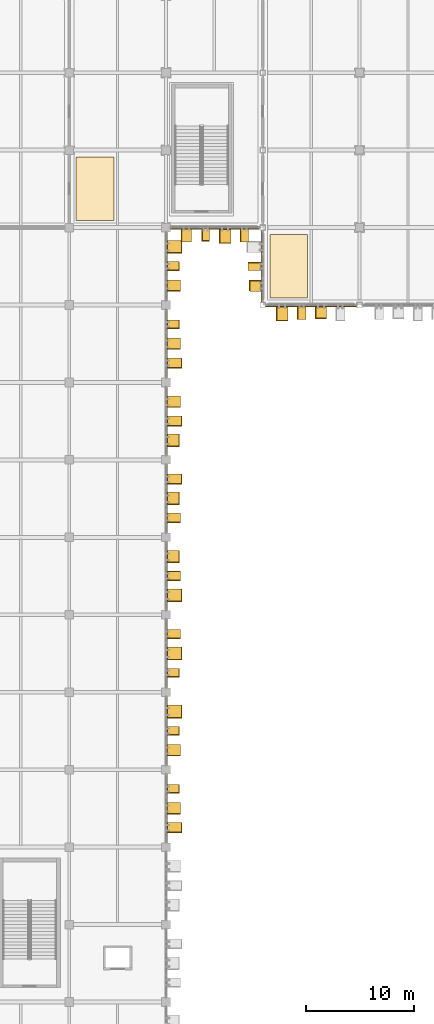
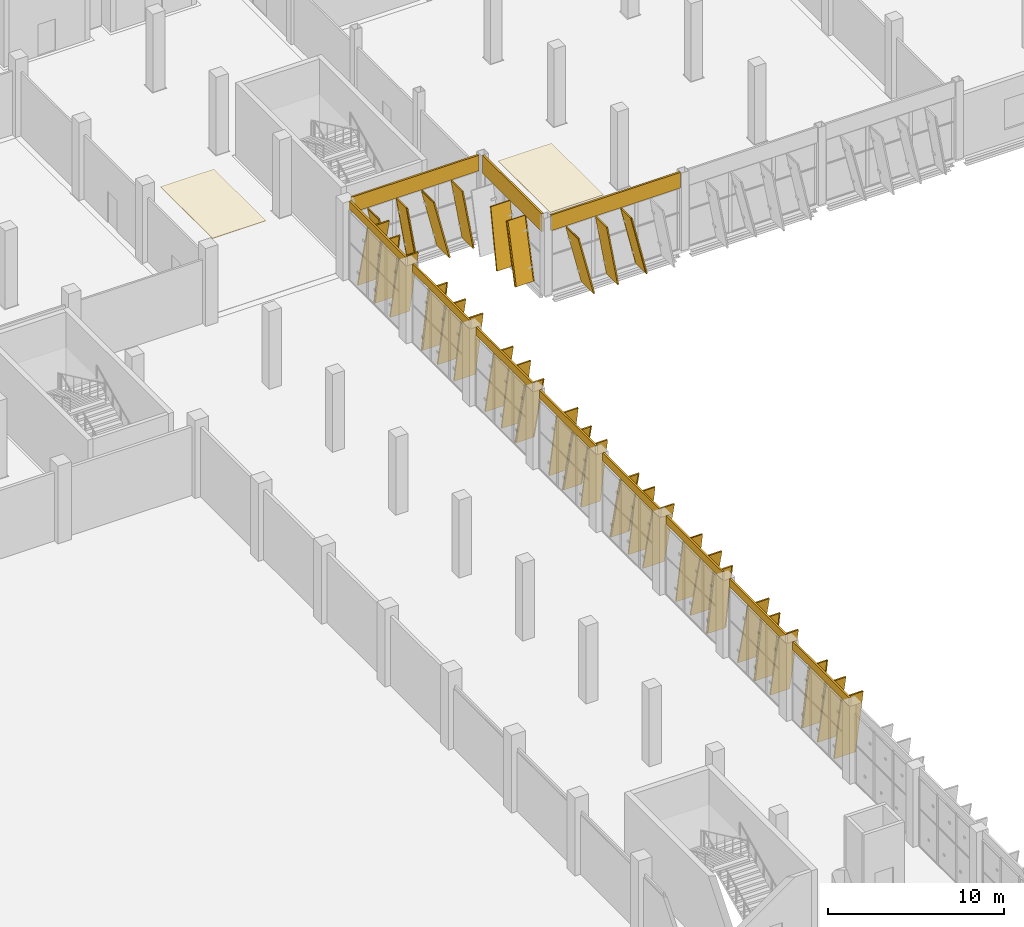
# One storey, part 124 of 137: 46 coverings, 33 shading devices.
"""IFC4 building model written with IfcOpenShell, lengths in metres."""

from ifc_helpers import new_model, si_unit, direction, frame, origin, origin_2d, place, context, subcontext, project, spatial, polyline, rectangle, outline, extrude, material, layer, layer_set, material_profile, profile_set, type_object, element, save


model = new_model("IFC4")

# Units and contexts
model_context = context("Model", 3, precision=1e-05, world=origin(), true_north=direction((0.0, 1.0)))
body_context = subcontext(model_context, "Body", "Model", "MODEL_VIEW")
ifc_project = project(units=[si_unit("LENGTHUNIT", "METRE"), si_unit("AREAUNIT", "SQUARE_METRE"), si_unit("VOLUMEUNIT", "CUBIC_METRE"), si_unit("PLANEANGLEUNIT", "RADIAN"), si_unit("MASSUNIT", "GRAM", prefix="KILO")], contexts=[model_context])

# Site, building, storey
site_placement = place(None, origin())
site = spatial("IfcSite", under=ifc_project, at=site_placement, CompositionType="ELEMENT")
building_placement = place(site_placement, origin())
building = spatial("IfcBuilding", under=site, at=building_placement, Name="Celestram Park Convention Centre", CompositionType="ELEMENT")
storey_placement = place(building_placement, origin())
storey = spatial("IfcBuildingStorey", under=building, at=storey_placement, Name="L00", CompositionType="ELEMENT", Elevation=0.0)

# Coverings
ifc_material_1 = material(Name="Anodised Bronze Aluminium Spandrel Cladding", Category="aluminium")
ifc_layer_1 = layer(ifc_material_1, 0.050048828125)
ifc_layer_set_1 = layer_set([ifc_layer_1], Name="Anodised Bronze Aluminium Spandrel Cladding")
covering_type_1 = type_object("IfcCoveringType", Name="ARC-COV-CLD060", PredefinedType="CLADDING", material=ifc_layer_set_1)
covering_1_placement = place(storey_placement, frame((157.5, 115.1201171875, 4.31689453125), z_axis=(0.0, 0.0, 1.0), x_axis=(-1.0, 0.0, 0.0)))
element("IfcCovering", 1, at=covering_1_placement, inside=storey, type_object=covering_type_1, Name="Bronze spandrel cladding CL-L00-003", PredefinedType="CLADDING", context=body_context, shape_type="SweptSolid", body=[
    extrude(rectangle(XDim=8.50390625, YDim=0.1201171875, at=origin_2d()), origin(), (0.0, 0.0, 1.0), 1.0830078125),
])
covering_2_placement = place(storey_placement, frame((152.919921875, 118.800048828125, 4.14404296875), z_axis=(0.0, 0.0, 1.0), x_axis=(0.0, 1.0, 0.0)))
element("IfcCovering", 2, at=covering_2_placement, inside=storey, type_object=covering_type_1, Name="Bronze spandrel cladding CL-L00-004", PredefinedType="CLADDING", context=body_context, shape_type="SweptSolid", body=[
    extrude(rectangle(XDim=6.7041015625, YDim=0.1201171875, at=origin_2d()), origin(), (0.0, 0.0, 1.0), 1.256103515625),
])
covering_3_placement = place(storey_placement, frame((148.5, 122.320068359375, 4.31689453125), z_axis=(0.0, 0.0, 1.0), x_axis=(-1.0, 0.0, 0.0)))
element("IfcCovering", 3, at=covering_3_placement, inside=storey, type_object=covering_type_1, Name="Bronze spandrel cladding CL-L00-005", PredefinedType="CLADDING", context=body_context, shape_type="SweptSolid", body=[
    extrude(rectangle(XDim=8.35400390625, YDim=0.1201171875, at=origin_2d()), origin(), (0.0, 0.0, 1.0), 1.0830078125),
])
for number, where, z_axis, x_axis, name in (
    (4, (144.080078125, 118.800048828125, 4.840087890625), (0.0, 0.0, 1.0), (0.0, -1.0, 0.0), "Bronze spandrel cladding CL-L00-006"),
    (5, (144.080078125, 111.60009765625, 4.840087890625), (0.0, 0.0, 1.0), (0.0, -1.0, 0.0), "Bronze spandrel cladding CL-L00-007"),
    (6, (144.080078125, 104.39990234375, 4.840087890625), (0.0, 0.0, 1.0), (0.0, -1.0, 0.0), "Bronze spandrel cladding CL-L00-008"),
    (7, (144.080078125, 97.199951171875, 4.840087890625), (0.0, 0.0, 1.0), (0.0, -1.0, 0.0), "Bronze spandrel cladding CL-L00-009"),
    (8, (144.080078125, 90.0, 4.840087890625), (0.0, 0.0, 1.0), (0.0, -1.0, 0.0), "Bronze spandrel cladding CL-L00-010"),
    (9, (144.080078125, 82.800048828125, 4.840087890625), (0.0, 0.0, 1.0), (0.0, -1.0, 0.0), "Bronze spandrel cladding CL-L00-011"),
    (10, (144.080078125, 75.60009765625, 4.840087890625), (0.0, 0.0, 1.0), (0.0, -1.0, 0.0), "Bronze spandrel cladding CL-L00-012"),
    (11, (144.080078125, 68.39990234375, 4.840087890625), (0.0, 0.0, 1.0), (0.0, -1.0, 0.0), "Bronze spandrel cladding CL-L00-013"),
):
    element("IfcCovering", number, at=place(storey_placement, frame(where, z_axis=z_axis, x_axis=x_axis)), inside=storey, type_object=covering_type_1, Name=name, PredefinedType="CLADDING", context=body_context, shape_type="SweptSolid", body=[
        extrude(rectangle(XDim=6.404052734375, YDim=0.1201171875, at=origin_2d()), origin(), (0.0, 0.0, 1.0), 0.56005859375),
    ])
ifc_material_2 = material(Name="Perforated Acoustic Mineral-Fibre Baffle Ceiling", Category="gypsum")
ifc_layer_2 = layer(ifc_material_2, 0.0400390625)
ifc_layer_set_2 = layer_set([ifc_layer_2], Name="Perforated Acoustic Mineral-Fibre Baffle Ceiling")
covering_type_2 = type_object("IfcCoveringType", Name="ARC-COV-CLG040", PredefinedType="CEILING", material=ifc_layer_set_2)
covering_4_placement = place(storey_placement, frame((0.0, 0.0, 5.080078125)))
element("IfcCovering", 12, at=covering_4_placement, inside=storey, type_object=covering_type_2, Name="Plenary Ground Reception Gallery acoustic baffle ceiling", PredefinedType="CEILING", context=body_context, shape_type="SweptSolid", body=[
    extrude(outline(polyline([(135.64990234375, 123.050048828125), (139.14990234375, 123.050048828125), (139.14990234375, 128.949951171875), (135.64990234375, 128.949951171875), (135.64990234375, 123.050048828125)])), origin(), (0.0, 0.0, 1.0), 0.0400390625),
])
covering_5_placement = place(storey_placement, frame((0.0, 0.0, 4.93994140625)))
element("IfcCovering", 13, at=covering_5_placement, inside=storey, type_object=covering_type_2, Name="Plenary Speaker Lounge acoustic baffle ceiling", PredefinedType="CEILING", context=body_context, shape_type="SweptSolid", body=[
    extrude(outline(polyline([(153.64990234375, 115.85009765625), (157.14990234375, 115.85009765625), (157.14990234375, 121.75), (153.64990234375, 121.75), (153.64990234375, 115.85009765625)])), origin(), (0.0, 0.0, 1.0), 0.0400390625),
])
ifc_material_3 = material(Name="Timber-Toned Anodised Aluminium Alloy 6063-T6", Category="wood")
ifc_material_profile_1 = material_profile(ifc_material_3, rectangle(XDim=1.1201171875, YDim=0.090087890625, at=origin_2d()), Name="REED1120X90")
ifc_profile_set_1 = profile_set([ifc_material_profile_1], Name="Timber-Toned Anodised Aluminium Alloy 6063-T6")
covering_type_3 = type_object("IfcCoveringType", Name="ARC-COV-FIN1120", PredefinedType="CLADDING", material=ifc_profile_set_1)
covering_6_placement = place(storey_placement, frame((158.896728515625, 114.56005859375, 0.0634765625), z_axis=(-0.231733449964, 0.0, 0.972779321413), x_axis=(0.0, -1.0, 0.0)))
element("IfcCovering", 14, at=covering_6_placement, inside=storey, type_object=covering_type_3, Name="Leaning timber-toned reed fin RFN-L00-0010", PredefinedType="CLADDING", context=body_context, shape_type="SweptSolid", body=[
    extrude(rectangle(XDim=1.1201171875, YDim=0.090087890625, at=origin_2d()), origin(), (0.0, 0.0, 1.0), 4.286865234375),
])
covering_7_placement = place(storey_placement, frame((152.360107421875, 116.523193359375, 0.06103515625), z_axis=(0.0, 0.231797026837, 0.972764174068), x_axis=(-1.0, 0.0, 0.0)))
element("IfcCovering", 15, at=covering_7_placement, inside=storey, type_object=covering_type_3, Name="Leaning timber-toned reed fin RFN-L00-0013", PredefinedType="CLADDING", context=body_context, shape_type="SweptSolid", body=[
    extrude(rectangle(XDim=1.1201171875, YDim=0.090087890625, at=origin_2d()), origin(), (0.0, 0.0, 1.0), 4.114013671875),
])
covering_8_placement = place(storey_placement, frame((148.017578125, 121.760009765625, 0.03271484375), z_axis=(-0.159862684349, 0.0, 0.987139261783), x_axis=(0.0, -1.0, 0.0)))
element("IfcCovering", 16, at=covering_8_placement, inside=storey, type_object=covering_type_3, Name="Leaning timber-toned reed fin RFN-L00-0018", PredefinedType="CLADDING", context=body_context, shape_type="SweptSolid", body=[
    extrude(rectangle(XDim=1.1201171875, YDim=0.090087890625, at=origin_2d()), origin(), (0.0, 0.0, 1.0), 4.286865234375),
])
for number, where, z_axis, x_axis, name in (
    (17, (144.639892578125, 119.1845703125, 0.035888671875), (0.0, -0.159878683359, 0.987136670683), (1.0, 0.0, 0.0), "Leaning timber-toned reed fin RFN-L00-0021"),
    (18, (144.639892578125, 113.784423828125, 0.035888671875), (0.0, -0.159878683359, 0.987136670683), (1.0, 0.0, 0.0), "Leaning timber-toned reed fin RFN-L00-0023"),
    (19, (144.639892578125, 103.157470703125, 0.070556640625), (0.0, -0.231808084976, 0.972761538991), (1.0, 0.0, 0.0), "Leaning timber-toned reed fin RFN-L00-0028"),
):
    element("IfcCovering", number, at=place(storey_placement, frame(where, z_axis=z_axis, x_axis=x_axis)), inside=storey, type_object=covering_type_3, Name=name, PredefinedType="CLADDING", context=body_context, shape_type="SweptSolid", body=[
        extrude(rectangle(XDim=1.1201171875, YDim=0.090087890625, at=origin_2d()), origin(), (0.0, 0.0, 1.0), 4.81005859375),
    ])
for number, where, z_axis, x_axis, name in (
    (20, (144.639892578125, 97.75732421875, 0.070556640625), (0.0, -0.231760054376, 0.972772983381), (1.0, 0.0, 0.0), "Leaning timber-toned reed fin RFN-L00-0030"),
    (21, (144.639892578125, 92.357421875, 0.070556640625), (0.0, -0.231760054376, 0.972772983381), (1.0, 0.0, 0.0), "Leaning timber-toned reed fin RFN-L00-0032"),
):
    element("IfcCovering", number, at=place(storey_placement, frame(where, z_axis=z_axis, x_axis=x_axis)), inside=storey, type_object=covering_type_3, Name=name, PredefinedType="CLADDING", context=body_context, shape_type="SweptSolid", body=[
        extrude(rectangle(XDim=1.1201171875, YDim=0.090087890625, at=origin_2d()), origin(), (0.0, 0.0, 1.0), 4.809814453125),
    ])
for number, where, z_axis, x_axis, name in (
    (22, (144.639892578125, 81.384521484375, 0.035888671875), (0.0, -0.159878683359, 0.987136670683), (1.0, 0.0, 0.0), "Leaning timber-toned reed fin RFN-L00-0037"),
    (23, (144.639892578125, 75.984619140625, 0.035888671875), (0.0, -0.159878683359, 0.987136670683), (1.0, 0.0, 0.0), "Leaning timber-toned reed fin RFN-L00-0039"),
    (24, (144.639892578125, 70.58447265625, 0.035888671875), (0.0, -0.159878683359, 0.987136670683), (1.0, 0.0, 0.0), "Leaning timber-toned reed fin RFN-L00-0041"),
):
    element("IfcCovering", number, at=place(storey_placement, frame(where, z_axis=z_axis, x_axis=x_axis)), inside=storey, type_object=covering_type_3, Name=name, PredefinedType="CLADDING", context=body_context, shape_type="SweptSolid", body=[
        extrude(rectangle(XDim=1.1201171875, YDim=0.090087890625, at=origin_2d()), origin(), (0.0, 0.0, 1.0), 4.81005859375),
    ])
ifc_material_profile_2 = material_profile(ifc_material_3, rectangle(XDim=1.280029296875, YDim=0.090087890625, at=origin_2d()), Name="REED1280X90")
ifc_profile_set_2 = profile_set([ifc_material_profile_2], Name="Timber-Toned Anodised Aluminium Alloy 6063-T6")
covering_type_4 = type_object("IfcCoveringType", Name="ARC-COV-FIN1280", PredefinedType="CLADDING", material=ifc_profile_set_2)
covering_9_placement = place(storey_placement, frame((156.96484375, 114.47998046875, 0.036376953125), z_axis=(-0.170223486491, 0.0, 0.985405482351), x_axis=(0.0, -1.0, 0.0)))
element("IfcCovering", 25, at=covering_9_placement, inside=storey, type_object=covering_type_4, Name="Leaning timber-toned reed fin RFN-L00-0011", PredefinedType="CLADDING", context=body_context, shape_type="SweptSolid", body=[
    extrude(rectangle(XDim=1.280029296875, YDim=0.090087890625, at=origin_2d()), origin(), (0.0, 0.0, 1.0), 4.286865234375),
])
covering_10_placement = place(storey_placement, frame((152.280029296875, 118.449951171875, 0.034912109375), z_axis=(0.0, 0.170189086151, 0.985411424206), x_axis=(-1.0, 0.0, 0.0)))
element("IfcCovering", 26, at=covering_10_placement, inside=storey, type_object=covering_type_4, Name="Leaning timber-toned reed fin RFN-L00-0014", PredefinedType="CLADDING", context=body_context, shape_type="SweptSolid", body=[
    extrude(rectangle(XDim=1.280029296875, YDim=0.090087890625, at=origin_2d()), origin(), (0.0, 0.0, 1.0), 4.1142578125),
])
covering_11_placement = place(storey_placement, frame((151.639892578125, 121.679931640625, 0.036376953125), z_axis=(-0.170223486491, 0.0, 0.985405482351), x_axis=(0.0, -1.0, 0.0)))
element("IfcCovering", 27, at=covering_11_placement, inside=storey, type_object=covering_type_4, Name="Leaning timber-toned reed fin RFN-L00-0016", PredefinedType="CLADDING", context=body_context, shape_type="SweptSolid", body=[
    extrude(rectangle(XDim=1.280029296875, YDim=0.090087890625, at=origin_2d()), origin(), (0.0, 0.0, 1.0), 4.286865234375),
])
covering_12_placement = place(storey_placement, frame((146.32421875, 121.679931640625, 0.052490234375), z_axis=(-0.20956797976, 0.0, 0.977794079477), x_axis=(0.0, -1.0, 0.0)))
element("IfcCovering", 28, at=covering_12_placement, inside=storey, type_object=covering_type_4, Name="Leaning timber-toned reed fin RFN-L00-0019", PredefinedType="CLADDING", context=body_context, shape_type="SweptSolid", body=[
    extrude(rectangle(XDim=1.280029296875, YDim=0.090087890625, at=origin_2d()), origin(), (0.0, 0.0, 1.0), 4.287109375),
])
for number, where, z_axis, x_axis, name in (
    (29, (144.719970703125, 117.504150390625, 0.058349609375), (0.0, -0.209615741791, 0.977783841549), (1.0, 0.0, 0.0), "Leaning timber-toned reed fin RFN-L00-0022"),
    (30, (144.719970703125, 112.10400390625, 0.058349609375), (0.0, -0.209567216685, 0.977794243024), (1.0, 0.0, 0.0), "Leaning timber-toned reed fin RFN-L00-0024"),
    (31, (144.719970703125, 106.7041015625, 0.058349609375), (0.0, -0.209615741791, 0.977783841549), (1.0, 0.0, 0.0), "Leaning timber-toned reed fin RFN-L00-0026"),
):
    element("IfcCovering", number, at=place(storey_placement, frame(where, z_axis=z_axis, x_axis=x_axis)), inside=storey, type_object=covering_type_4, Name=name, PredefinedType="CLADDING", context=body_context, shape_type="SweptSolid", body=[
        extrude(rectangle(XDim=1.280029296875, YDim=0.090087890625, at=origin_2d()), origin(), (0.0, 0.0, 1.0), 4.810302734375),
    ])
for number, where, z_axis, x_axis, name in (
    (32, (144.719970703125, 95.809326171875, 0.0400390625), (0.0, -0.170240052999, 0.985402620432), (1.0, 0.0, 0.0), "Leaning timber-toned reed fin RFN-L00-0031"),
    (33, (144.719970703125, 90.409423828125, 0.0400390625), (0.0, -0.170240052999, 0.985402620432), (1.0, 0.0, 0.0), "Leaning timber-toned reed fin RFN-L00-0033"),
    (34, (144.719970703125, 85.009521484375, 0.0400390625), (0.0, -0.170240052999, 0.985402620432), (1.0, 0.0, 0.0), "Leaning timber-toned reed fin RFN-L00-0035"),
):
    element("IfcCovering", number, at=place(storey_placement, frame(where, z_axis=z_axis, x_axis=x_axis)), inside=storey, type_object=covering_type_4, Name=name, PredefinedType="CLADDING", context=body_context, shape_type="SweptSolid", body=[
        extrude(rectangle(XDim=1.280029296875, YDim=0.090087890625, at=origin_2d()), origin(), (0.0, 0.0, 1.0), 4.81005859375),
    ])
for number, where, z_axis, x_axis, name in (
    (35, (144.719970703125, 74.30419921875, 0.058349609375), (0.0, -0.209615741791, 0.977783841549), (1.0, 0.0, 0.0), "Leaning timber-toned reed fin RFN-L00-0040"),
    (36, (144.719970703125, 68.904052734375, 0.058349609375), (0.0, -0.209567216685, 0.977794243024), (1.0, 0.0, 0.0), "Leaning timber-toned reed fin RFN-L00-0042"),
):
    element("IfcCovering", number, at=place(storey_placement, frame(where, z_axis=z_axis, x_axis=x_axis)), inside=storey, type_object=covering_type_4, Name=name, PredefinedType="CLADDING", context=body_context, shape_type="SweptSolid", body=[
        extrude(rectangle(XDim=1.280029296875, YDim=0.090087890625, at=origin_2d()), origin(), (0.0, 0.0, 1.0), 4.810302734375),
    ])
ifc_material_profile_3 = material_profile(ifc_material_3, rectangle(XDim=1.419921875, YDim=0.090087890625, at=origin_2d()), Name="REED1420X90")
ifc_profile_set_3 = profile_set([ifc_material_profile_3], Name="Timber-Toned Anodised Aluminium Alloy 6063-T6")
covering_type_5 = type_object("IfcCoveringType", Name="ARC-COV-FIN1420", PredefinedType="CLADDING", material=ifc_profile_set_3)
for number, where, z_axis, x_axis, name in (
    (37, (155.311279296875, 114.409912109375, 0.06689453125), (-0.23851342761, 0.0, 0.971139199523), (0.0, -1.0, 0.0), "Leaning timber-toned reed fin RFN-L00-0012"),
    (38, (149.986328125, 121.610107421875, 0.06689453125), (-0.238567138244, 0.0, 0.971126006525), (0.0, -1.0, 0.0), "Leaning timber-toned reed fin RFN-L00-0017"),
):
    element("IfcCovering", number, at=place(storey_placement, frame(where, z_axis=z_axis, x_axis=x_axis)), inside=storey, type_object=covering_type_5, Name=name, PredefinedType="CLADDING", context=body_context, shape_type="SweptSolid", body=[
        extrude(rectangle(XDim=1.419921875, YDim=0.090087890625, at=origin_2d()), origin(), (0.0, 0.0, 1.0), 4.286865234375),
    ])
for number, where, z_axis, x_axis, name in (
    (39, (144.7900390625, 121.173583984375, 0.074462890625), (0.0, -0.238508778742, 0.971140341281), (1.0, 0.0, 0.0), "Leaning timber-toned reed fin RFN-L00-0020"),
    (40, (144.7900390625, 110.234130859375, 0.04443359375), (0.0, -0.180493192635, 0.983576233656), (1.0, 0.0, 0.0), "Leaning timber-toned reed fin RFN-L00-0025"),
    (41, (144.7900390625, 104.833984375, 0.04443359375), (0.0, -0.180493192635, 0.983576233656), (1.0, 0.0, 0.0), "Leaning timber-toned reed fin RFN-L00-0027"),
    (42, (144.7900390625, 99.43408203125, 0.04443359375), (0.0, -0.180493192635, 0.983576233656), (1.0, 0.0, 0.0), "Leaning timber-toned reed fin RFN-L00-0029"),
    (43, (144.7900390625, 88.773681640625, 0.074462890625), (0.0, -0.238556647816, 0.971128583547), (1.0, 0.0, 0.0), "Leaning timber-toned reed fin RFN-L00-0034"),
    (44, (144.7900390625, 83.373779296875, 0.074462890625), (0.0, -0.238556647816, 0.971128583547), (1.0, 0.0, 0.0), "Leaning timber-toned reed fin RFN-L00-0036"),
    (45, (144.7900390625, 77.9736328125, 0.074462890625), (0.0, -0.238508778742, 0.971140341281), (1.0, 0.0, 0.0), "Leaning timber-toned reed fin RFN-L00-0038"),
    (46, (144.7900390625, 67.0341796875, 0.04443359375), (0.0, -0.180493192635, 0.983576233656), (1.0, 0.0, 0.0), "Leaning timber-toned reed fin RFN-L00-0043"),
):
    element("IfcCovering", number, at=place(storey_placement, frame(where, z_axis=z_axis, x_axis=x_axis)), inside=storey, type_object=covering_type_5, Name=name, PredefinedType="CLADDING", context=body_context, shape_type="SweptSolid", body=[
        extrude(rectangle(XDim=1.419921875, YDim=0.090087890625, at=origin_2d()), origin(), (0.0, 0.0, 1.0), 4.81005859375),
    ])

# Shading devices
ifc_material_4 = material(Name="Anodised Bronze Aluminium Alloy 6063-T6", Category="aluminium")
ifc_material_profile_4 = material_profile(ifc_material_4, rectangle(XDim=1.280029296875, YDim=0.080078125, at=origin_2d()), Name="FIN1280X80")
ifc_profile_set_4 = profile_set([ifc_material_profile_4], Name="Anodised Bronze Aluminium Alloy 6063-T6")
shading_device_type = type_object("IfcShadingDeviceType", Name="ARC-FIN-BZ1280", PredefinedType="USERDEFINED", material=ifc_profile_set_4)
for number, where, z_axis, x_axis, name in (
    (47, (158.896728515625, 114.56005859375, 0.0634765625), (-0.231733449964, 0.0, 0.972779321413), (0.0, -1.0, 0.0), "Expressive solar fin FN-L00-0010"),
    (48, (156.96484375, 114.47998046875, 0.036376953125), (-0.170223486491, 0.0, 0.985405482351), (0.0, -1.0, 0.0), "Expressive solar fin FN-L00-0011"),
    (49, (155.311279296875, 114.409912109375, 0.06689453125), (-0.23851342761, 0.0, 0.971139199523), (0.0, -1.0, 0.0), "Expressive solar fin FN-L00-0012"),
):
    element("IfcShadingDevice", number, at=place(storey_placement, frame(where, z_axis=z_axis, x_axis=x_axis)), inside=storey, type_object=shading_device_type, Name=name, ObjectType="SOLAR_FIN", PredefinedType="USERDEFINED", context=body_context, shape_type="SweptSolid", body=[
        extrude(rectangle(XDim=1.280029296875, YDim=0.080078125, at=origin_2d()), origin(), (0.0, 0.0, 1.0), 4.286865234375),
    ])
shading_device_1_placement = place(storey_placement, frame((152.360107421875, 116.523193359375, 0.06103515625), z_axis=(0.0, 0.231797026837, 0.972764174068), x_axis=(-1.0, 0.0, 0.0)))
element("IfcShadingDevice", 50, at=shading_device_1_placement, inside=storey, type_object=shading_device_type, Name="Expressive solar fin FN-L00-0013", ObjectType="SOLAR_FIN", PredefinedType="USERDEFINED", context=body_context, shape_type="SweptSolid", body=[
    extrude(rectangle(XDim=1.280029296875, YDim=0.080078125, at=origin_2d()), origin(), (0.0, 0.0, 1.0), 4.114013671875),
])
shading_device_2_placement = place(storey_placement, frame((152.280029296875, 118.449951171875, 0.034912109375), z_axis=(0.0, 0.170189086151, 0.985411424206), x_axis=(-1.0, 0.0, 0.0)))
element("IfcShadingDevice", 51, at=shading_device_2_placement, inside=storey, type_object=shading_device_type, Name="Expressive solar fin FN-L00-0014", ObjectType="SOLAR_FIN", PredefinedType="USERDEFINED", context=body_context, shape_type="SweptSolid", body=[
    extrude(rectangle(XDim=1.280029296875, YDim=0.080078125, at=origin_2d()), origin(), (0.0, 0.0, 1.0), 4.1142578125),
])
for number, where, z_axis, x_axis, name in (
    (52, (151.639892578125, 121.679931640625, 0.036376953125), (-0.170223486491, 0.0, 0.985405482351), (0.0, -1.0, 0.0), "Expressive solar fin FN-L00-0016"),
    (53, (149.986328125, 121.610107421875, 0.06689453125), (-0.238567138244, 0.0, 0.971126006525), (0.0, -1.0, 0.0), "Expressive solar fin FN-L00-0017"),
    (54, (148.017578125, 121.760009765625, 0.03271484375), (-0.159862684349, 0.0, 0.987139261783), (0.0, -1.0, 0.0), "Expressive solar fin FN-L00-0018"),
):
    element("IfcShadingDevice", number, at=place(storey_placement, frame(where, z_axis=z_axis, x_axis=x_axis)), inside=storey, type_object=shading_device_type, Name=name, ObjectType="SOLAR_FIN", PredefinedType="USERDEFINED", context=body_context, shape_type="SweptSolid", body=[
        extrude(rectangle(XDim=1.280029296875, YDim=0.080078125, at=origin_2d()), origin(), (0.0, 0.0, 1.0), 4.286865234375),
    ])
shading_device_3_placement = place(storey_placement, frame((146.32421875, 121.679931640625, 0.052490234375), z_axis=(-0.20956797976, 0.0, 0.977794079477), x_axis=(0.0, -1.0, 0.0)))
element("IfcShadingDevice", 55, at=shading_device_3_placement, inside=storey, type_object=shading_device_type, Name="Expressive solar fin FN-L00-0019", ObjectType="SOLAR_FIN", PredefinedType="USERDEFINED", context=body_context, shape_type="SweptSolid", body=[
    extrude(rectangle(XDim=1.280029296875, YDim=0.080078125, at=origin_2d()), origin(), (0.0, 0.0, 1.0), 4.287109375),
])
for number, where, z_axis, x_axis, name in (
    (56, (144.7900390625, 121.173583984375, 0.074462890625), (0.0, -0.238508778742, 0.971140341281), (1.0, 0.0, 0.0), "Expressive solar fin FN-L00-0020"),
    (57, (144.639892578125, 119.1845703125, 0.035888671875), (0.0, -0.159878683359, 0.987136670683), (1.0, 0.0, 0.0), "Expressive solar fin FN-L00-0021"),
):
    element("IfcShadingDevice", number, at=place(storey_placement, frame(where, z_axis=z_axis, x_axis=x_axis)), inside=storey, type_object=shading_device_type, Name=name, ObjectType="SOLAR_FIN", PredefinedType="USERDEFINED", context=body_context, shape_type="SweptSolid", body=[
        extrude(rectangle(XDim=1.280029296875, YDim=0.080078125, at=origin_2d()), origin(), (0.0, 0.0, 1.0), 4.81005859375),
    ])
shading_device_4_placement = place(storey_placement, frame((144.719970703125, 117.504150390625, 0.058349609375), z_axis=(0.0, -0.209615741791, 0.977783841549), x_axis=(1.0, 0.0, 0.0)))
element("IfcShadingDevice", 58, at=shading_device_4_placement, inside=storey, type_object=shading_device_type, Name="Expressive solar fin FN-L00-0022", ObjectType="SOLAR_FIN", PredefinedType="USERDEFINED", context=body_context, shape_type="SweptSolid", body=[
    extrude(rectangle(XDim=1.280029296875, YDim=0.080078125, at=origin_2d()), origin(), (0.0, 0.0, 1.0), 4.810302734375),
])
shading_device_5_placement = place(storey_placement, frame((144.639892578125, 113.784423828125, 0.035888671875), z_axis=(0.0, -0.159878683359, 0.987136670683), x_axis=(1.0, 0.0, 0.0)))
element("IfcShadingDevice", 59, at=shading_device_5_placement, inside=storey, type_object=shading_device_type, Name="Expressive solar fin FN-L00-0023", ObjectType="SOLAR_FIN", PredefinedType="USERDEFINED", context=body_context, shape_type="SweptSolid", body=[
    extrude(rectangle(XDim=1.280029296875, YDim=0.080078125, at=origin_2d()), origin(), (0.0, 0.0, 1.0), 4.81005859375),
])
shading_device_6_placement = place(storey_placement, frame((144.719970703125, 112.10400390625, 0.058349609375), z_axis=(0.0, -0.209567216685, 0.977794243024), x_axis=(1.0, 0.0, 0.0)))
element("IfcShadingDevice", 60, at=shading_device_6_placement, inside=storey, type_object=shading_device_type, Name="Expressive solar fin FN-L00-0024", ObjectType="SOLAR_FIN", PredefinedType="USERDEFINED", context=body_context, shape_type="SweptSolid", body=[
    extrude(rectangle(XDim=1.280029296875, YDim=0.080078125, at=origin_2d()), origin(), (0.0, 0.0, 1.0), 4.810302734375),
])
shading_device_7_placement = place(storey_placement, frame((144.7900390625, 110.234130859375, 0.04443359375), z_axis=(0.0, -0.180493192635, 0.983576233656), x_axis=(1.0, 0.0, 0.0)))
element("IfcShadingDevice", 61, at=shading_device_7_placement, inside=storey, type_object=shading_device_type, Name="Expressive solar fin FN-L00-0025", ObjectType="SOLAR_FIN", PredefinedType="USERDEFINED", context=body_context, shape_type="SweptSolid", body=[
    extrude(rectangle(XDim=1.280029296875, YDim=0.080078125, at=origin_2d()), origin(), (0.0, 0.0, 1.0), 4.81005859375),
])
shading_device_8_placement = place(storey_placement, frame((144.719970703125, 106.7041015625, 0.058349609375), z_axis=(0.0, -0.209615741791, 0.977783841549), x_axis=(1.0, 0.0, 0.0)))
element("IfcShadingDevice", 62, at=shading_device_8_placement, inside=storey, type_object=shading_device_type, Name="Expressive solar fin FN-L00-0026", ObjectType="SOLAR_FIN", PredefinedType="USERDEFINED", context=body_context, shape_type="SweptSolid", body=[
    extrude(rectangle(XDim=1.280029296875, YDim=0.080078125, at=origin_2d()), origin(), (0.0, 0.0, 1.0), 4.810302734375),
])
for number, where, z_axis, x_axis, name in (
    (63, (144.7900390625, 104.833984375, 0.04443359375), (0.0, -0.180493192635, 0.983576233656), (1.0, 0.0, 0.0), "Expressive solar fin FN-L00-0027"),
    (64, (144.639892578125, 103.157470703125, 0.070556640625), (0.0, -0.231808084976, 0.972761538991), (1.0, 0.0, 0.0), "Expressive solar fin FN-L00-0028"),
    (65, (144.7900390625, 99.43408203125, 0.04443359375), (0.0, -0.180493192635, 0.983576233656), (1.0, 0.0, 0.0), "Expressive solar fin FN-L00-0029"),
):
    element("IfcShadingDevice", number, at=place(storey_placement, frame(where, z_axis=z_axis, x_axis=x_axis)), inside=storey, type_object=shading_device_type, Name=name, ObjectType="SOLAR_FIN", PredefinedType="USERDEFINED", context=body_context, shape_type="SweptSolid", body=[
        extrude(rectangle(XDim=1.280029296875, YDim=0.080078125, at=origin_2d()), origin(), (0.0, 0.0, 1.0), 4.81005859375),
    ])
shading_device_9_placement = place(storey_placement, frame((144.639892578125, 97.75732421875, 0.070556640625), z_axis=(0.0, -0.231760054376, 0.972772983381), x_axis=(1.0, 0.0, 0.0)))
element("IfcShadingDevice", 66, at=shading_device_9_placement, inside=storey, type_object=shading_device_type, Name="Expressive solar fin FN-L00-0030", ObjectType="SOLAR_FIN", PredefinedType="USERDEFINED", context=body_context, shape_type="SweptSolid", body=[
    extrude(rectangle(XDim=1.280029296875, YDim=0.080078125, at=origin_2d()), origin(), (0.0, 0.0, 1.0), 4.809814453125),
])
shading_device_10_placement = place(storey_placement, frame((144.719970703125, 95.809326171875, 0.0400390625), z_axis=(0.0, -0.170240052999, 0.985402620432), x_axis=(1.0, 0.0, 0.0)))
element("IfcShadingDevice", 67, at=shading_device_10_placement, inside=storey, type_object=shading_device_type, Name="Expressive solar fin FN-L00-0031", ObjectType="SOLAR_FIN", PredefinedType="USERDEFINED", context=body_context, shape_type="SweptSolid", body=[
    extrude(rectangle(XDim=1.280029296875, YDim=0.080078125, at=origin_2d()), origin(), (0.0, 0.0, 1.0), 4.81005859375),
])
shading_device_11_placement = place(storey_placement, frame((144.639892578125, 92.357421875, 0.070556640625), z_axis=(0.0, -0.231760054376, 0.972772983381), x_axis=(1.0, 0.0, 0.0)))
element("IfcShadingDevice", 68, at=shading_device_11_placement, inside=storey, type_object=shading_device_type, Name="Expressive solar fin FN-L00-0032", ObjectType="SOLAR_FIN", PredefinedType="USERDEFINED", context=body_context, shape_type="SweptSolid", body=[
    extrude(rectangle(XDim=1.280029296875, YDim=0.080078125, at=origin_2d()), origin(), (0.0, 0.0, 1.0), 4.809814453125),
])
for number, where, z_axis, x_axis, name in (
    (69, (144.719970703125, 90.409423828125, 0.0400390625), (0.0, -0.170240052999, 0.985402620432), (1.0, 0.0, 0.0), "Expressive solar fin FN-L00-0033"),
    (70, (144.7900390625, 88.773681640625, 0.074462890625), (0.0, -0.238556647816, 0.971128583547), (1.0, 0.0, 0.0), "Expressive solar fin FN-L00-0034"),
    (71, (144.719970703125, 85.009521484375, 0.0400390625), (0.0, -0.170240052999, 0.985402620432), (1.0, 0.0, 0.0), "Expressive solar fin FN-L00-0035"),
    (72, (144.7900390625, 83.373779296875, 0.074462890625), (0.0, -0.238556647816, 0.971128583547), (1.0, 0.0, 0.0), "Expressive solar fin FN-L00-0036"),
    (73, (144.639892578125, 81.384521484375, 0.035888671875), (0.0, -0.159878683359, 0.987136670683), (1.0, 0.0, 0.0), "Expressive solar fin FN-L00-0037"),
    (74, (144.7900390625, 77.9736328125, 0.074462890625), (0.0, -0.238508778742, 0.971140341281), (1.0, 0.0, 0.0), "Expressive solar fin FN-L00-0038"),
    (75, (144.639892578125, 75.984619140625, 0.035888671875), (0.0, -0.159878683359, 0.987136670683), (1.0, 0.0, 0.0), "Expressive solar fin FN-L00-0039"),
):
    element("IfcShadingDevice", number, at=place(storey_placement, frame(where, z_axis=z_axis, x_axis=x_axis)), inside=storey, type_object=shading_device_type, Name=name, ObjectType="SOLAR_FIN", PredefinedType="USERDEFINED", context=body_context, shape_type="SweptSolid", body=[
        extrude(rectangle(XDim=1.280029296875, YDim=0.080078125, at=origin_2d()), origin(), (0.0, 0.0, 1.0), 4.81005859375),
    ])
shading_device_12_placement = place(storey_placement, frame((144.719970703125, 74.30419921875, 0.058349609375), z_axis=(0.0, -0.209615741791, 0.977783841549), x_axis=(1.0, 0.0, 0.0)))
element("IfcShadingDevice", 76, at=shading_device_12_placement, inside=storey, type_object=shading_device_type, Name="Expressive solar fin FN-L00-0040", ObjectType="SOLAR_FIN", PredefinedType="USERDEFINED", context=body_context, shape_type="SweptSolid", body=[
    extrude(rectangle(XDim=1.280029296875, YDim=0.080078125, at=origin_2d()), origin(), (0.0, 0.0, 1.0), 4.810302734375),
])
shading_device_13_placement = place(storey_placement, frame((144.639892578125, 70.58447265625, 0.035888671875), z_axis=(0.0, -0.159878683359, 0.987136670683), x_axis=(1.0, 0.0, 0.0)))
element("IfcShadingDevice", 77, at=shading_device_13_placement, inside=storey, type_object=shading_device_type, Name="Expressive solar fin FN-L00-0041", ObjectType="SOLAR_FIN", PredefinedType="USERDEFINED", context=body_context, shape_type="SweptSolid", body=[
    extrude(rectangle(XDim=1.280029296875, YDim=0.080078125, at=origin_2d()), origin(), (0.0, 0.0, 1.0), 4.81005859375),
])
shading_device_14_placement = place(storey_placement, frame((144.719970703125, 68.904052734375, 0.058349609375), z_axis=(0.0, -0.209567216685, 0.977794243024), x_axis=(1.0, 0.0, 0.0)))
element("IfcShadingDevice", 78, at=shading_device_14_placement, inside=storey, type_object=shading_device_type, Name="Expressive solar fin FN-L00-0042", ObjectType="SOLAR_FIN", PredefinedType="USERDEFINED", context=body_context, shape_type="SweptSolid", body=[
    extrude(rectangle(XDim=1.280029296875, YDim=0.080078125, at=origin_2d()), origin(), (0.0, 0.0, 1.0), 4.810302734375),
])
shading_device_15_placement = place(storey_placement, frame((144.7900390625, 67.0341796875, 0.04443359375), z_axis=(0.0, -0.180493192635, 0.983576233656), x_axis=(1.0, 0.0, 0.0)))
element("IfcShadingDevice", 79, at=shading_device_15_placement, inside=storey, type_object=shading_device_type, Name="Expressive solar fin FN-L00-0043", ObjectType="SOLAR_FIN", PredefinedType="USERDEFINED", context=body_context, shape_type="SweptSolid", body=[
    extrude(rectangle(XDim=1.280029296875, YDim=0.080078125, at=origin_2d()), origin(), (0.0, 0.0, 1.0), 4.81005859375),
])

save(model, "model.ifc")
